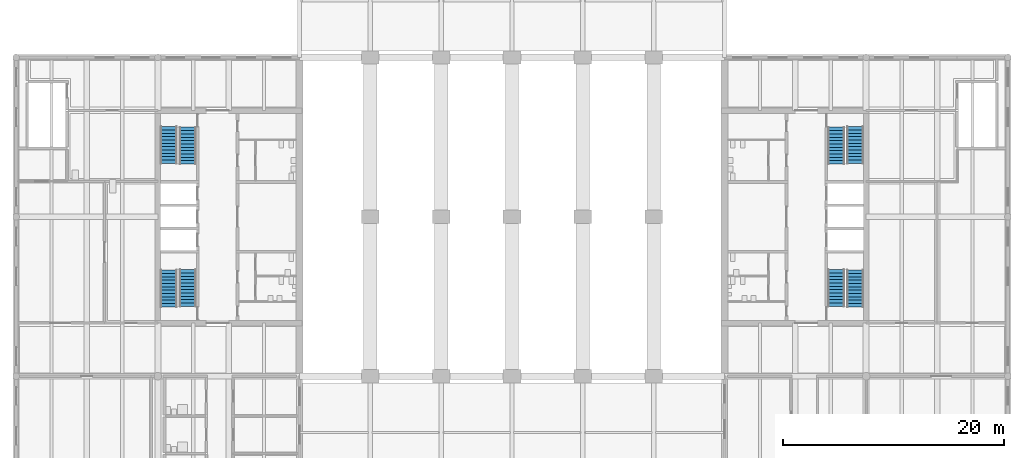
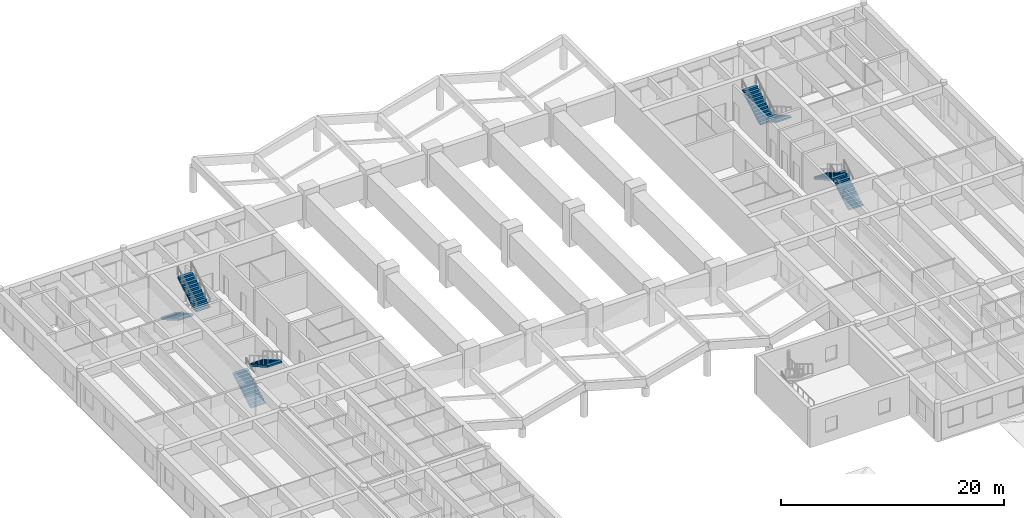
# One storey, part 14 of 19: 8 stair flights, 4 elements without a shape of their own.
"""IFC4 building model written with IfcOpenShell, lengths in metres."""

from ifc_helpers import new_model, si_unit, direction, frame, origin, place, context, subcontext, project, spatial, polyline, outline, extrude, material, type_object, element, aggregate, save


model = new_model("IFC4")

# Units and contexts
model_context = context("Model", 3, precision=1e-05, world=origin(), true_north=direction((0.0, 1.0)))
body_context = subcontext(model_context, "Body", "Model", "MODEL_VIEW")
ifc_project = project(units=[si_unit("LENGTHUNIT", "METRE"), si_unit("AREAUNIT", "SQUARE_METRE"), si_unit("VOLUMEUNIT", "CUBIC_METRE"), si_unit("PLANEANGLEUNIT", "RADIAN"), si_unit("MASSUNIT", "GRAM", prefix="KILO")], contexts=[model_context])

# Site, building, storey
site_placement = place(None, origin())
site = spatial("IfcSite", under=ifc_project, at=site_placement, CompositionType="ELEMENT")
building_placement = place(site_placement, origin())
building = spatial("IfcBuilding", under=site, at=building_placement, Name="Fogon Plaza Fire Station and Headquarters Tower", CompositionType="ELEMENT")
storey_placement = place(building_placement, frame((0.0, 0.0, 4.199951171875)))
storey = spatial("IfcBuildingStorey", under=building, at=storey_placement, Name="L01", CompositionType="ELEMENT", Elevation=4.199951171875)

# Stair, stair flights
ifc_material_1 = material(Name="Concrete C40", Category="concrete")
stair_type = type_object("IfcStairType", Name="Exit Stair Two Flights", PredefinedType="TWO_STRAIGHT_RUN_STAIR", material=ifc_material_1)
stair_1_placement = place(storey_placement, origin())
stair_1 = element("IfcStair", 1, at=stair_1_placement, inside=storey, type_object=stair_type, Name="Stair ST1", PredefinedType="TWO_STRAIGHT_RUN_STAIR")
ifc_material_2 = material(Name="Concrete C40", Category="concrete")
stair_flight_type = type_object("IfcStairFlightType", Name="Stair Flight 12 Risers", PredefinedType="STRAIGHT", material=ifc_material_2)
stair_flight_1_placement = place(storey_placement, frame((13.800048828125, 35.060791015625, 0.0), z_axis=(0.0, 0.0, 1.0), x_axis=(0.0, 1.0, 0.0)))
stair_flight_1 = element("IfcStairFlight", 2, at=stair_flight_1_placement, type_object=stair_flight_type, Name="ST1 flight F05", NumberOfRisers=12, NumberOfTreads=11, PredefinedType="STRAIGHT", RiserHeight=0.175, TreadLength=0.301363636, context=body_context, shape_type="SweptSolid", body=[
    extrude(outline(polyline([(0.0, 0.0), (0.0, 0.175048828125), (0.30126953125, 0.175048828125), (0.30126953125, 0.35009765625), (0.602783203125, 0.35009765625), (0.602783203125, 0.52490234375), (0.904052734375, 0.52490234375), (0.904052734375, 0.699951171875), (1.20556640625, 0.699951171875), (1.20556640625, 0.875), (1.5068359375, 0.875), (1.5068359375, 1.050048828125), (1.80810546875, 1.050048828125), (1.80810546875, 1.22509765625), (2.109619140625, 1.22509765625), (2.109619140625, 1.39990234375), (2.410888671875, 1.39990234375), (2.410888671875, 1.574951171875), (2.712158203125, 1.574951171875), (2.712158203125, 1.75), (3.013671875, 1.75), (3.013671875, 1.925048828125), (3.31494140625, 1.925048828125), (3.31494140625, 2.10009765625), (3.31494140625, 1.751708984375), (0.298583984375, 0.0), (0.0, 0.0)])), frame((0.0, 0.75, 0.0), z_axis=(0.0, -1.0, 0.0), x_axis=(1.0, 0.0, 0.0)), (0.0, 0.0, 1.0), 1.5),
])
stair_flight_2_placement = place(storey_placement, frame((15.52490234375, 38.42431640625, 2.10009765625), z_axis=(0.0, 0.0, 1.0), x_axis=(0.0, -1.0, 0.0)))
stair_flight_2 = element("IfcStairFlight", 3, at=stair_flight_2_placement, type_object=stair_flight_type, Name="ST1 flight F06", NumberOfRisers=12, NumberOfTreads=11, PredefinedType="STRAIGHT", RiserHeight=0.175, TreadLength=0.301363636, context=body_context, shape_type="SweptSolid", body=[
    extrude(outline(polyline([(0.0, 0.0), (0.0, 0.175048828125), (0.30126953125, 0.175048828125), (0.30126953125, 0.35009765625), (0.602783203125, 0.35009765625), (0.602783203125, 0.52490234375), (0.904052734375, 0.52490234375), (0.904052734375, 0.699951171875), (1.20556640625, 0.699951171875), (1.20556640625, 0.875), (1.5068359375, 0.875), (1.5068359375, 1.050048828125), (1.80810546875, 1.050048828125), (1.80810546875, 1.22509765625), (2.109619140625, 1.22509765625), (2.109619140625, 1.39990234375), (2.410888671875, 1.39990234375), (2.410888671875, 1.574951171875), (2.712158203125, 1.574951171875), (2.712158203125, 1.75), (3.013671875, 1.75), (3.013671875, 1.925048828125), (3.31494140625, 1.925048828125), (3.31494140625, 2.10009765625), (3.31494140625, 1.751708984375), (0.298583984375, 0.0), (0.0, 0.0)])), frame((0.0, 0.75, 0.0), z_axis=(0.0, -1.0, 0.0), x_axis=(1.0, 0.0, 0.0)), (0.0, 0.0, 1.0), 1.5),
])
aggregate(stair_1, [stair_flight_1, stair_flight_2])

stair_2_placement = place(storey_placement, origin())
stair_2 = element("IfcStair", 4, at=stair_2_placement, inside=storey, type_object=stair_type, Name="Stair ST2", PredefinedType="TWO_STRAIGHT_RUN_STAIR")
stair_flight_3_placement = place(storey_placement, frame((13.800048828125, 51.33935546875, 0.0), z_axis=(0.0, 0.0, 1.0), x_axis=(0.0, -1.0, 0.0)))
stair_flight_3 = element("IfcStairFlight", 5, at=stair_flight_3_placement, type_object=stair_flight_type, Name="ST2 flight F05", NumberOfRisers=12, NumberOfTreads=11, PredefinedType="STRAIGHT", RiserHeight=0.175, TreadLength=0.301363636, context=body_context, shape_type="SweptSolid", body=[
    extrude(outline(polyline([(0.0, 0.0), (0.0, 0.175048828125), (0.30126953125, 0.175048828125), (0.30126953125, 0.35009765625), (0.602783203125, 0.35009765625), (0.602783203125, 0.52490234375), (0.904052734375, 0.52490234375), (0.904052734375, 0.699951171875), (1.20556640625, 0.699951171875), (1.20556640625, 0.875), (1.5068359375, 0.875), (1.5068359375, 1.050048828125), (1.80810546875, 1.050048828125), (1.80810546875, 1.22509765625), (2.109619140625, 1.22509765625), (2.109619140625, 1.39990234375), (2.410888671875, 1.39990234375), (2.410888671875, 1.574951171875), (2.712158203125, 1.574951171875), (2.712158203125, 1.75), (3.013671875, 1.75), (3.013671875, 1.925048828125), (3.31494140625, 1.925048828125), (3.31494140625, 2.10009765625), (3.31494140625, 1.751708984375), (0.298583984375, 0.0), (0.0, 0.0)])), frame((0.0, 0.75, 0.0), z_axis=(0.0, -1.0, 0.0), x_axis=(1.0, 0.0, 0.0)), (0.0, 0.0, 1.0), 1.5),
])
stair_flight_4_placement = place(storey_placement, frame((15.52490234375, 47.975830078125, 2.10009765625), z_axis=(0.0, 0.0, 1.0), x_axis=(0.0, 1.0, 0.0)))
stair_flight_4 = element("IfcStairFlight", 6, at=stair_flight_4_placement, type_object=stair_flight_type, Name="ST2 flight F06", NumberOfRisers=12, NumberOfTreads=11, PredefinedType="STRAIGHT", RiserHeight=0.175, TreadLength=0.301363636, context=body_context, shape_type="SweptSolid", body=[
    extrude(outline(polyline([(0.0, 0.0), (0.0, 0.175048828125), (0.30126953125, 0.175048828125), (0.30126953125, 0.35009765625), (0.602783203125, 0.35009765625), (0.602783203125, 0.52490234375), (0.904052734375, 0.52490234375), (0.904052734375, 0.699951171875), (1.20556640625, 0.699951171875), (1.20556640625, 0.875), (1.5068359375, 0.875), (1.5068359375, 1.050048828125), (1.80810546875, 1.050048828125), (1.80810546875, 1.22509765625), (2.109619140625, 1.22509765625), (2.109619140625, 1.39990234375), (2.410888671875, 1.39990234375), (2.410888671875, 1.574951171875), (2.712158203125, 1.574951171875), (2.712158203125, 1.75), (3.013671875, 1.75), (3.013671875, 1.925048828125), (3.31494140625, 1.925048828125), (3.31494140625, 2.10009765625), (3.31494140625, 1.751708984375), (0.298583984375, 0.0), (0.0, 0.0)])), frame((0.0, 0.75, 0.0), z_axis=(0.0, -1.0, 0.0), x_axis=(1.0, 0.0, 0.0)), (0.0, 0.0, 1.0), 1.5),
])
aggregate(stair_2, [stair_flight_3, stair_flight_4])

stair_3_placement = place(storey_placement, origin())
stair_3 = element("IfcStair", 7, at=stair_3_placement, inside=storey, type_object=stair_type, Name="Stair ST3", PredefinedType="TWO_STRAIGHT_RUN_STAIR")
stair_flight_5_placement = place(storey_placement, frame((75.800048828125, 35.060791015625, 0.0), z_axis=(0.0, 0.0, 1.0), x_axis=(0.0, 1.0, 0.0)))
stair_flight_5 = element("IfcStairFlight", 8, at=stair_flight_5_placement, type_object=stair_flight_type, Name="ST3 flight F05", NumberOfRisers=12, NumberOfTreads=11, PredefinedType="STRAIGHT", RiserHeight=0.175, TreadLength=0.301363636, context=body_context, shape_type="SweptSolid", body=[
    extrude(outline(polyline([(0.0, 0.0), (0.0, 0.175048828125), (0.30126953125, 0.175048828125), (0.30126953125, 0.35009765625), (0.602783203125, 0.35009765625), (0.602783203125, 0.52490234375), (0.904052734375, 0.52490234375), (0.904052734375, 0.699951171875), (1.20556640625, 0.699951171875), (1.20556640625, 0.875), (1.5068359375, 0.875), (1.5068359375, 1.050048828125), (1.80810546875, 1.050048828125), (1.80810546875, 1.22509765625), (2.109619140625, 1.22509765625), (2.109619140625, 1.39990234375), (2.410888671875, 1.39990234375), (2.410888671875, 1.574951171875), (2.712158203125, 1.574951171875), (2.712158203125, 1.75), (3.013671875, 1.75), (3.013671875, 1.925048828125), (3.31494140625, 1.925048828125), (3.31494140625, 2.10009765625), (3.31494140625, 1.751708984375), (0.298583984375, 0.0), (0.0, 0.0)])), frame((0.0, 0.75, 0.0), z_axis=(0.0, -1.0, 0.0), x_axis=(1.0, 0.0, 0.0)), (0.0, 0.0, 1.0), 1.5),
])
stair_flight_6_placement = place(storey_placement, frame((74.074951171875, 38.42431640625, 2.10009765625), z_axis=(0.0, 0.0, 1.0), x_axis=(0.0, -1.0, 0.0)))
stair_flight_6 = element("IfcStairFlight", 9, at=stair_flight_6_placement, type_object=stair_flight_type, Name="ST3 flight F06", NumberOfRisers=12, NumberOfTreads=11, PredefinedType="STRAIGHT", RiserHeight=0.175, TreadLength=0.301363636, context=body_context, shape_type="SweptSolid", body=[
    extrude(outline(polyline([(0.0, 0.0), (0.0, 0.175048828125), (0.30126953125, 0.175048828125), (0.30126953125, 0.35009765625), (0.602783203125, 0.35009765625), (0.602783203125, 0.52490234375), (0.904052734375, 0.52490234375), (0.904052734375, 0.699951171875), (1.20556640625, 0.699951171875), (1.20556640625, 0.875), (1.5068359375, 0.875), (1.5068359375, 1.050048828125), (1.80810546875, 1.050048828125), (1.80810546875, 1.22509765625), (2.109619140625, 1.22509765625), (2.109619140625, 1.39990234375), (2.410888671875, 1.39990234375), (2.410888671875, 1.574951171875), (2.712158203125, 1.574951171875), (2.712158203125, 1.75), (3.013671875, 1.75), (3.013671875, 1.925048828125), (3.31494140625, 1.925048828125), (3.31494140625, 2.10009765625), (3.31494140625, 1.751708984375), (0.298583984375, 0.0), (0.0, 0.0)])), frame((0.0, 0.75, 0.0), z_axis=(0.0, -1.0, 0.0), x_axis=(1.0, 0.0, 0.0)), (0.0, 0.0, 1.0), 1.5),
])
aggregate(stair_3, [stair_flight_5, stair_flight_6])

stair_4_placement = place(storey_placement, origin())
stair_4 = element("IfcStair", 10, at=stair_4_placement, inside=storey, type_object=stair_type, Name="Stair ST4", PredefinedType="TWO_STRAIGHT_RUN_STAIR")
stair_flight_7_placement = place(storey_placement, frame((75.800048828125, 51.33935546875, 0.0), z_axis=(0.0, 0.0, 1.0), x_axis=(0.0, -1.0, 0.0)))
stair_flight_7 = element("IfcStairFlight", 11, at=stair_flight_7_placement, type_object=stair_flight_type, Name="ST4 flight F05", NumberOfRisers=12, NumberOfTreads=11, PredefinedType="STRAIGHT", RiserHeight=0.175, TreadLength=0.301363636, context=body_context, shape_type="SweptSolid", body=[
    extrude(outline(polyline([(0.0, 0.0), (0.0, 0.175048828125), (0.30126953125, 0.175048828125), (0.30126953125, 0.35009765625), (0.602783203125, 0.35009765625), (0.602783203125, 0.52490234375), (0.904052734375, 0.52490234375), (0.904052734375, 0.699951171875), (1.20556640625, 0.699951171875), (1.20556640625, 0.875), (1.5068359375, 0.875), (1.5068359375, 1.050048828125), (1.80810546875, 1.050048828125), (1.80810546875, 1.22509765625), (2.109619140625, 1.22509765625), (2.109619140625, 1.39990234375), (2.410888671875, 1.39990234375), (2.410888671875, 1.574951171875), (2.712158203125, 1.574951171875), (2.712158203125, 1.75), (3.013671875, 1.75), (3.013671875, 1.925048828125), (3.31494140625, 1.925048828125), (3.31494140625, 2.10009765625), (3.31494140625, 1.751708984375), (0.298583984375, 0.0), (0.0, 0.0)])), frame((0.0, 0.75, 0.0), z_axis=(0.0, -1.0, 0.0), x_axis=(1.0, 0.0, 0.0)), (0.0, 0.0, 1.0), 1.5),
])
stair_flight_8_placement = place(storey_placement, frame((74.074951171875, 47.975830078125, 2.10009765625), z_axis=(0.0, 0.0, 1.0), x_axis=(0.0, 1.0, 0.0)))
stair_flight_8 = element("IfcStairFlight", 12, at=stair_flight_8_placement, type_object=stair_flight_type, Name="ST4 flight F06", NumberOfRisers=12, NumberOfTreads=11, PredefinedType="STRAIGHT", RiserHeight=0.175, TreadLength=0.301363636, context=body_context, shape_type="SweptSolid", body=[
    extrude(outline(polyline([(0.0, 0.0), (0.0, 0.175048828125), (0.30126953125, 0.175048828125), (0.30126953125, 0.35009765625), (0.602783203125, 0.35009765625), (0.602783203125, 0.52490234375), (0.904052734375, 0.52490234375), (0.904052734375, 0.699951171875), (1.20556640625, 0.699951171875), (1.20556640625, 0.875), (1.5068359375, 0.875), (1.5068359375, 1.050048828125), (1.80810546875, 1.050048828125), (1.80810546875, 1.22509765625), (2.109619140625, 1.22509765625), (2.109619140625, 1.39990234375), (2.410888671875, 1.39990234375), (2.410888671875, 1.574951171875), (2.712158203125, 1.574951171875), (2.712158203125, 1.75), (3.013671875, 1.75), (3.013671875, 1.925048828125), (3.31494140625, 1.925048828125), (3.31494140625, 2.10009765625), (3.31494140625, 1.751708984375), (0.298583984375, 0.0), (0.0, 0.0)])), frame((0.0, 0.75, 0.0), z_axis=(0.0, -1.0, 0.0), x_axis=(1.0, 0.0, 0.0)), (0.0, 0.0, 1.0), 1.5),
])
aggregate(stair_4, [stair_flight_7, stair_flight_8])

save(model, "model.ifc")
